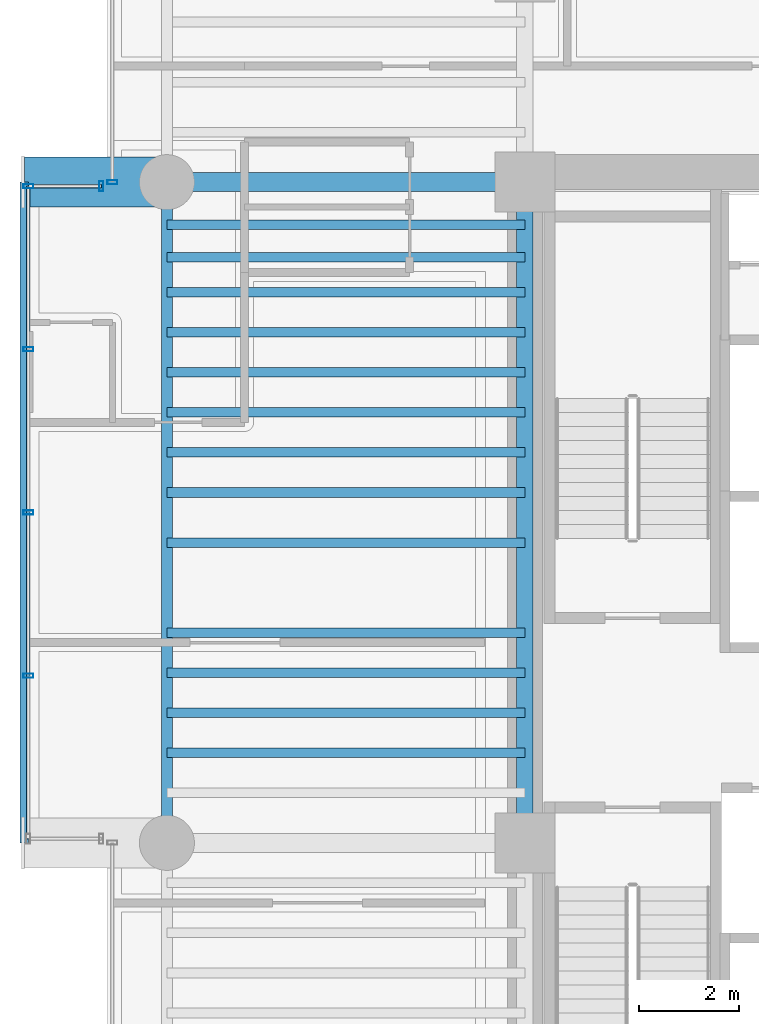
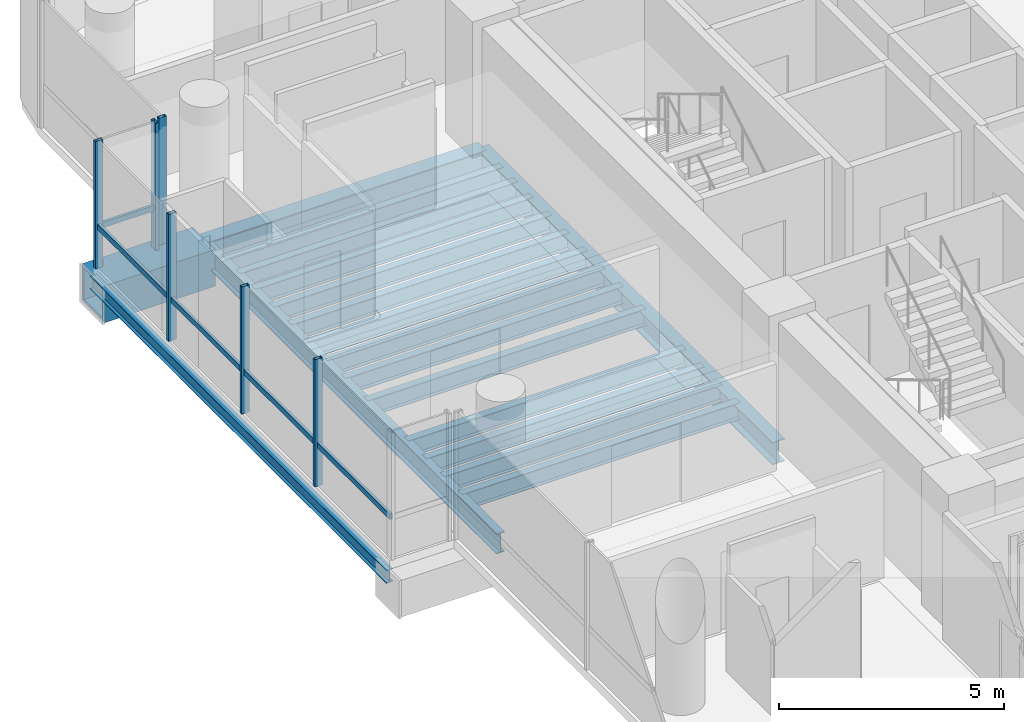
# One storey, part 7 of 35: 18 beams, 8 members, 3 elements without a shape of their own.
"""IFC4 building model written with IfcOpenShell, lengths in metres."""

from ifc_helpers import new_model, si_unit, direction, frame, origin, origin_2d, place, context, subcontext, project, spatial, hollow_rectangle, i_section, extrude, source, transform, mapped, material, material_profile, profile_set, type_object, element, aggregate, save


model = new_model("IFC4")

# Units and contexts
model_context = context("Model", 3, precision=1e-05, world=origin(), true_north=direction((0.0, 1.0)))
body_context = subcontext(model_context, "Body", "Model", "MODEL_VIEW")
ifc_project = project(units=[si_unit("LENGTHUNIT", "METRE"), si_unit("AREAUNIT", "SQUARE_METRE"), si_unit("VOLUMEUNIT", "CUBIC_METRE"), si_unit("PLANEANGLEUNIT", "RADIAN"), si_unit("MASSUNIT", "GRAM", prefix="KILO")], contexts=[model_context])

# Site, building, storey
site_placement = place(None, origin())
site = spatial("IfcSite", under=ifc_project, at=site_placement, CompositionType="ELEMENT")
building_placement = place(site_placement, origin())
building = spatial("IfcBuilding", under=site, at=building_placement, Name="Valdorenza Pilgrim Sanctuary Tower", CompositionType="ELEMENT")
storey_placement = place(building_placement, frame((0.0, 0.0, 113.10009765625)))
storey = spatial("IfcBuildingStorey", under=building, at=storey_placement, Name="L28", CompositionType="ELEMENT", Elevation=113.10009765625)

# Beams
ifc_material_1 = material(Name="Steel ASTM A992 Grade 50", Category="steel")
ifc_material_profile_1 = material_profile(ifc_material_1, i_section(OverallWidth=0.214111328125, OverallDepth=0.549072265625, WebThickness=0.0146484375, FlangeThickness=0.023681640625, at=origin_2d()), Name="W21X93")
ifc_profile_set_1 = profile_set([ifc_material_profile_1], Name="Steel ASTM A992 Grade 50")
beam_type_1 = type_object("IfcBeamType", Name="STR-BM-SPN-W21A", PredefinedType="SPANDREL", material=ifc_profile_set_1)
shared_shape_1 = source(origin(), body_context, "Body", "SweptSolid", [
    extrude(i_section(OverallWidth=0.214111328125, OverallDepth=0.549072265625, WebThickness=0.0146484375, FlangeThickness=0.023681640625, at=origin_2d()), origin(), (0.0, 0.0, 1.0), 13.2001953125),
])
beam_1_placement = place(storey_placement, frame((-29.800048828125, -2.60009765625, -0.5146484375), z_axis=(0.0, 1.0, 0.0), x_axis=(-1.0, 0.0, 0.0)))
element("IfcBeam", 1, at=beam_1_placement, inside=storey, type_object=beam_type_1, Name="L28 Spandrel Beam WA-W-M0N1", PredefinedType="SPANDREL", context=body_context, shape_type="MappedRepresentation", body=[
    mapped(shared_shape_1, transform((0.0, 0.0, 0.0), x_axis=(1.0, 0.0, 0.0), y_axis=(0.0, 1.0, 0.0), z_axis=(0.0, 0.0, 1.0), scale=1.0)),
])
ifc_material_profile_2 = material_profile(ifc_material_1, i_section(OverallWidth=0.323974609375, OverallDepth=0.611083984375, WebThickness=0.0126953125, FlangeThickness=0.01904296875, at=origin_2d()), Name="W24X104")
ifc_profile_set_2 = profile_set([ifc_material_profile_2], Name="Steel ASTM A992 Grade 50")
beam_type_2 = type_object("IfcBeamType", Name="STR-BM-GRD-W24B", PredefinedType="BEAM", material=ifc_profile_set_2)
shared_shape_2 = source(origin(), body_context, "Body", "SweptSolid", [
    extrude(i_section(OverallWidth=0.323974609375, OverallDepth=0.611083984375, WebThickness=0.0126953125, FlangeThickness=0.01904296875, at=origin_2d()), origin(), (0.0, 0.0, 1.0), 13.2001953125),
])
beam_2_placement = place(storey_placement, frame((-22.64990234375, -2.60009765625, -0.545654296875), z_axis=(0.0, 1.0, 0.0), x_axis=(-1.0, 0.0, 0.0)))
element("IfcBeam", 2, at=beam_2_placement, inside=storey, type_object=beam_type_2, Name="L28 Core Tie Girder CA-W-M0N1", PredefinedType="BEAM", context=body_context, shape_type="MappedRepresentation", body=[
    mapped(shared_shape_2, transform((0.0, 0.0, 0.0), x_axis=(1.0, 0.0, 0.0), y_axis=(0.0, 1.0, 0.0), z_axis=(0.0, 0.0, 1.0), scale=1.0)),
])
ifc_material_profile_3 = material_profile(ifc_material_1, i_section(OverallWidth=0.1708984375, OverallDepth=0.35107421875, WebThickness=0.0068359375, FlangeThickness=0.009765625, at=origin_2d()), Name="W14X30")
ifc_profile_set_3 = profile_set([ifc_material_profile_3], Name="Steel ASTM A992 Grade 50")
beam_type_3 = type_object("IfcBeamType", Name="STR-BM-BOX-W14", PredefinedType="BEAM", material=ifc_profile_set_3)
shared_shape_3 = source(origin(), body_context, "Body", "SweptSolid", [
    extrude(i_section(OverallWidth=0.1708984375, OverallDepth=0.35107421875, WebThickness=0.0068359375, FlangeThickness=0.009765625, at=origin_2d()), origin(), (0.0, 0.0, 1.0), 13.2001953125),
])
beam_3_placement = place(storey_placement, frame((-32.64990234375, -2.60009765625, -0.41552734375), z_axis=(0.0, 1.0, 0.0), x_axis=(-1.0, 0.0, 0.0)))
element("IfcBeam", 3, at=beam_3_placement, inside=storey, type_object=beam_type_3, Name="L28 Glass Box Edge Beam BOX-WA-L28-F", PredefinedType="BEAM", context=body_context, shape_type="MappedRepresentation", body=[
    mapped(shared_shape_3, transform((0.0, 0.0, 0.0), x_axis=(1.0, 0.0, 0.0), y_axis=(0.0, 1.0, 0.0), z_axis=(0.0, 0.0, 1.0), scale=1.0)),
])
ifc_material_profile_4 = material_profile(ifc_material_1, i_section(OverallWidth=0.382080078125, OverallDepth=0.779052734375, WebThickness=0.01806640625, FlangeThickness=0.030029296875, at=origin_2d()), Name="W30X191")
ifc_profile_set_4 = profile_set([ifc_material_profile_4], Name="Steel ASTM A992 Grade 50")
beam_type_4 = type_object("IfcBeamType", Name="STR-BM-GRD-W30", PredefinedType="BEAM", material=ifc_profile_set_4)
shared_shape_4 = source(origin(), body_context, "Body", "SweptSolid", [
    extrude(i_section(OverallWidth=0.382080078125, OverallDepth=0.779052734375, WebThickness=0.01806640625, FlangeThickness=0.030029296875, at=origin_2d()), origin(), (0.0, 0.0, 1.0), 7.150146484375),
])
beam_4_placement = place(storey_placement, frame((-29.800048828125, 10.60009765625, -0.629638671875), z_axis=(1.0, 0.0, 0.0), x_axis=(0.0, 1.0, 0.0)))
element("IfcBeam", 4, at=beam_4_placement, inside=storey, type_object=beam_type_4, Name="L28 Floor Girder WA-XW-N1", PredefinedType="BEAM", context=body_context, shape_type="MappedRepresentation", body=[
    mapped(shared_shape_4, transform((0.0, 0.0, 0.0), x_axis=(1.0, 0.0, 0.0), y_axis=(0.0, 1.0, 0.0), z_axis=(0.0, 0.0, 1.0), scale=1.0)),
])
ifc_material_profile_5 = material_profile(ifc_material_1, i_section(OverallWidth=0.19091796875, OverallDepth=0.45703125, WebThickness=0.009033203125, FlangeThickness=0.014404296875, at=origin_2d()), Name="W18X50")
ifc_profile_set_5 = profile_set([ifc_material_profile_5], Name="Steel ASTM A992 Grade 50")
beam_type_5 = type_object("IfcBeamType", Name="STR-BM-JST-W18B", PredefinedType="JOIST", material=ifc_profile_set_5)
shared_shape_5 = source(origin(), body_context, "Body", "SweptSolid", [
    extrude(i_section(OverallWidth=0.19091796875, OverallDepth=0.45703125, WebThickness=0.009033203125, FlangeThickness=0.014404296875, at=origin_2d()), origin(), (0.0, 0.0, 1.0), 7.150146484375),
])
for number, where, z_axis, x_axis, name in (
    (5, (-29.800048828125, -0.800048828125, -0.468505859375), (1.0, 0.0, 0.0), (0.0, 1.0, 0.0), "L28 Composite Floor Joist JST-WA-11"),
    (6, (-29.800048828125, 0.0, -0.468505859375), (1.0, 0.0, 0.0), (0.0, 1.0, 0.0), "L28 Composite Floor Joist JST-WA-12"),
    (7, (-29.800048828125, 0.800048828125, -0.468505859375), (1.0, 0.0, 0.0), (0.0, 1.0, 0.0), "L28 Composite Floor Joist JST-WA-13"),
    (8, (-29.800048828125, 1.60009765625, -0.468505859375), (1.0, 0.0, 0.0), (0.0, 1.0, 0.0), "L28 Composite Floor Joist JST-WA-14"),
    (9, (-29.800048828125, 3.39990234375, -0.468505859375), (1.0, 0.0, 0.0), (0.0, 1.0, 0.0), "L28 Composite Floor Joist JST-WA-15"),
    (10, (-29.800048828125, 4.39990234375, -0.468505859375), (1.0, 0.0, 0.0), (0.0, 1.0, 0.0), "L28 Composite Floor Joist JST-WA-16"),
    (11, (-29.800048828125, 5.199951171875, -0.468505859375), (1.0, 0.0, 0.0), (0.0, 1.0, 0.0), "L28 Composite Floor Joist JST-WA-17"),
    (12, (-29.800048828125, 6.0, -0.468505859375), (1.0, 0.0, 0.0), (0.0, 1.0, 0.0), "L28 Composite Floor Joist JST-WA-18"),
    (13, (-29.800048828125, 6.800048828125, -0.468505859375), (1.0, 0.0, 0.0), (0.0, 1.0, 0.0), "L28 Composite Floor Joist JST-WA-19"),
    (14, (-29.800048828125, 7.60009765625, -0.468505859375), (1.0, 0.0, 0.0), (0.0, 1.0, 0.0), "L28 Composite Floor Joist JST-WA-20"),
    (15, (-29.800048828125, 8.39990234375, -0.468505859375), (1.0, 0.0, 0.0), (0.0, 1.0, 0.0), "L28 Composite Floor Joist JST-WA-21"),
    (16, (-29.800048828125, 9.10009765625, -0.468505859375), (1.0, 0.0, 0.0), (0.0, 1.0, 0.0), "L28 Composite Floor Joist JST-WA-22"),
    (17, (-29.800048828125, 9.75, -0.468505859375), (1.0, 0.0, 0.0), (0.0, 1.0, 0.0), "L28 Composite Floor Joist JST-WA-23"),
):
    element("IfcBeam", number, at=place(storey_placement, frame(where, z_axis=z_axis, x_axis=x_axis)), inside=storey, type_object=beam_type_5, Name=name, PredefinedType="JOIST", context=body_context, shape_type="MappedRepresentation", body=[
        mapped(shared_shape_5, transform((0.0, 0.0, 0.0), x_axis=(1.0, 0.0, 0.0), y_axis=(0.0, 1.0, 0.0), z_axis=(0.0, 0.0, 1.0), scale=1.0)),
    ])
ifc_material_2 = material(Name="Steel ASTM A572 Grade 42", Category="steel")
ifc_material_profile_6 = material_profile(ifc_material_2, hollow_rectangle(XDim=1.0, YDim=1.0, WallThickness=0.080078125, at=origin_2d()), Name="BOX 1000x1000x80")
ifc_profile_set_6 = profile_set([ifc_material_profile_6], Name="Steel ASTM A572 Grade 42")
beam_type_6 = type_object("IfcBeamType", Name="STR-BM-PROW-CANT", PredefinedType="BEAM", material=ifc_profile_set_6)
shared_shape_6 = source(origin(), body_context, "Body", "SweptSolid", [
    extrude(hollow_rectangle(XDim=1.0, YDim=1.0, WallThickness=0.080078125, at=origin_2d()), origin(), (0.0, 0.0, 1.0), 2.849853515625),
])
beam_5_placement = place(storey_placement, frame((-29.800048828125, 10.60009765625, -0.739990234375), z_axis=(-1.0, 0.0, 0.0), x_axis=(0.0, -1.0, 0.0)))
element("IfcBeam", 18, at=beam_5_placement, inside=storey, type_object=beam_type_6, Name="L28 Glass Box Cantilever Beam BOX-WA-L28-CT-N", PredefinedType="BEAM", context=body_context, shape_type="MappedRepresentation", body=[
    mapped(shared_shape_6, transform((0.0, 0.0, 0.0), x_axis=(1.0, 0.0, 0.0), y_axis=(0.0, 1.0, 0.0), z_axis=(0.0, 0.0, 1.0), scale=1.0)),
])

# Curtain wall, member
ifc_material_3 = material(Name="Curtain-wall IGU glazing", Category="glass")
curtain_wall_type = type_object("IfcCurtainWallType", Name="CW-SYS-02", PredefinedType="NOTDEFINED", material=ifc_material_3)
curtain_wall_1_placement = place(storey_placement, origin())
curtain_wall_1 = element("IfcCurtainWall", 19, at=curtain_wall_1_placement, inside=storey, type_object=curtain_wall_type, Name="L28 Curtain Wall CW-L28-1-1S2", PredefinedType="NOTDEFINED")
ifc_material_4 = material(Name="Anodised aluminium AW-6060", Category="aluminium")
ifc_material_profile_7 = material_profile(ifc_material_4, hollow_rectangle(XDim=0.0849609375, YDim=0.199951171875, WallThickness=0.0048828125, at=origin_2d()), Name="ALU-M 200x85x5")
ifc_profile_set_7 = profile_set([ifc_material_profile_7], Name="Anodised aluminium AW-6060")
member_type_1 = type_object("IfcMemberType", Name="CW-MUL-02", PredefinedType="MULLION", material=ifc_profile_set_7)
shared_shape_7 = source(origin(), body_context, "Body", "SweptSolid", [
    extrude(hollow_rectangle(XDim=0.0849609375, YDim=0.199951171875, WallThickness=0.0048828125, at=origin_2d()), origin(), (0.0, 0.0, 1.0), 3.4599609375),
])
member_1_placement = place(storey_placement, frame((-30.889892578125, 10.60009765625, 0.0), z_axis=(0.0, 0.0, 1.0), x_axis=(0.0, 1.0, 0.0)))
member_1 = element("IfcMember", 20, at=member_1_placement, type_object=member_type_1, Name="CW-L28-1-1S2 Mullion 1", PredefinedType="MULLION", context=body_context, shape_type="MappedRepresentation", body=[
    mapped(shared_shape_7, transform((0.0, 0.0, 0.0), x_axis=(1.0, 0.0, 0.0), y_axis=(0.0, 1.0, 0.0), z_axis=(0.0, 0.0, 1.0), scale=1.0)),
])
aggregate(curtain_wall_1, [member_1])

# Curtain wall, members
curtain_wall_2_placement = place(storey_placement, origin())
curtain_wall_2 = element("IfcCurtainWall", 21, at=curtain_wall_2_placement, inside=storey, type_object=curtain_wall_type, Name="L28 Curtain Wall CW-L28-BOX-WA-L28-F", PredefinedType="NOTDEFINED")
member_2_placement = place(storey_placement, frame((-32.570068359375, 0.739990234375, 0.0), z_axis=(0.0, 0.0, 1.0), x_axis=(0.0, 1.0, 0.0)))
member_2 = element("IfcMember", 22, at=member_2_placement, type_object=member_type_1, Name="CW-L28-BOX-WA-L28-F Mullion 2", PredefinedType="MULLION", context=body_context, shape_type="MappedRepresentation", body=[
    mapped(shared_shape_7, transform((0.0, 0.0, 0.0), x_axis=(1.0, 0.0, 0.0), y_axis=(0.0, 1.0, 0.0), z_axis=(0.0, 0.0, 1.0), scale=1.0)),
])
member_3_placement = place(storey_placement, frame((-32.570068359375, 4.0, 0.0), z_axis=(0.0, 0.0, 1.0), x_axis=(0.0, 1.0, 0.0)))
member_3 = element("IfcMember", 23, at=member_3_placement, type_object=member_type_1, Name="CW-L28-BOX-WA-L28-F Mullion 3", PredefinedType="MULLION", context=body_context, shape_type="MappedRepresentation", body=[
    mapped(shared_shape_7, transform((0.0, 0.0, 0.0), x_axis=(1.0, 0.0, 0.0), y_axis=(0.0, 1.0, 0.0), z_axis=(0.0, 0.0, 1.0), scale=1.0)),
])
member_4_placement = place(storey_placement, frame((-32.570068359375, 7.260009765625, 0.0), z_axis=(0.0, 0.0, 1.0), x_axis=(0.0, 1.0, 0.0)))
member_4 = element("IfcMember", 24, at=member_4_placement, type_object=member_type_1, Name="CW-L28-BOX-WA-L28-F Mullion 4", PredefinedType="MULLION", context=body_context, shape_type="MappedRepresentation", body=[
    mapped(shared_shape_7, transform((0.0, 0.0, 0.0), x_axis=(1.0, 0.0, 0.0), y_axis=(0.0, 1.0, 0.0), z_axis=(0.0, 0.0, 1.0), scale=1.0)),
])
member_5_placement = place(storey_placement, frame((-32.570068359375, 10.52001953125, 0.0), z_axis=(0.0, 0.0, 1.0), x_axis=(0.0, 1.0, 0.0)))
member_5 = element("IfcMember", 25, at=member_5_placement, type_object=member_type_1, Name="CW-L28-BOX-WA-L28-F Mullion 5", PredefinedType="MULLION", context=body_context, shape_type="MappedRepresentation", body=[
    mapped(shared_shape_7, transform((0.0, 0.0, 0.0), x_axis=(1.0, 0.0, 0.0), y_axis=(0.0, 1.0, 0.0), z_axis=(0.0, 0.0, 1.0), scale=1.0)),
])

curtain_wall_3_placement = place(storey_placement, origin())
curtain_wall_3 = element("IfcCurtainWall", 26, at=curtain_wall_3_placement, inside=storey, type_object=curtain_wall_type, Name="L28 Curtain Wall CW-L28-BOX-WA-L28-N", PredefinedType="NOTDEFINED")
member_6_placement = place(storey_placement, frame((-31.110107421875, 10.52001953125, 0.0), z_axis=(0.0, 0.0, 1.0), x_axis=(1.0, 0.0, 0.0)))
member_6 = element("IfcMember", 27, at=member_6_placement, type_object=member_type_1, Name="CW-L28-BOX-WA-L28-N Mullion 2", PredefinedType="MULLION", context=body_context, shape_type="MappedRepresentation", body=[
    mapped(shared_shape_7, transform((0.0, 0.0, 0.0), x_axis=(1.0, 0.0, 0.0), y_axis=(0.0, 1.0, 0.0), z_axis=(0.0, 0.0, 1.0), scale=1.0)),
])
ifc_material_profile_8 = material_profile(ifc_material_4, hollow_rectangle(XDim=0.074951171875, YDim=0.14990234375, WallThickness=0.00390625, at=origin_2d()), Name="ALU-T 150x75x4")
ifc_profile_set_8 = profile_set([ifc_material_profile_8], Name="Anodised aluminium AW-6060")
member_type_2 = type_object("IfcMemberType", Name="CW-TRN-02", PredefinedType="USERDEFINED", material=ifc_profile_set_8)
shared_shape_8 = source(origin(), body_context, "Body", "SweptSolid", [
    extrude(hollow_rectangle(XDim=0.074951171875, YDim=0.14990234375, WallThickness=0.00390625, at=origin_2d()), origin(), (0.0, 0.0, 1.0), 1.4599609375),
])
member_7_placement = place(storey_placement, frame((-32.570068359375, 10.52001953125, 1.119873046875), z_axis=(1.0, 0.0, 0.0), x_axis=(0.0, 1.0, 0.0)))
member_7 = element("IfcMember", 28, at=member_7_placement, type_object=member_type_2, Name="CW-L28-BOX-WA-L28-N Transom 1", ObjectType="TRANSOM", PredefinedType="USERDEFINED", context=body_context, shape_type="MappedRepresentation", body=[
    mapped(shared_shape_8, transform((0.0, 0.0, 0.0), x_axis=(1.0, 0.0, 0.0), y_axis=(0.0, 1.0, 0.0), z_axis=(0.0, 0.0, 1.0), scale=1.0)),
])
aggregate(curtain_wall_3, [member_6, member_7])

# Member
shared_shape_9 = source(origin(), body_context, "Body", "SweptSolid", [
    extrude(hollow_rectangle(XDim=0.074951171875, YDim=0.14990234375, WallThickness=0.00390625, at=origin_2d()), origin(), (0.0, 0.0, 1.0), 13.0400390625),
])
member_8_placement = place(storey_placement, frame((-32.570068359375, -2.52001953125, 1.119873046875), z_axis=(0.0, 1.0, 0.0), x_axis=(-1.0, 0.0, 0.0)))
member_8 = element("IfcMember", 29, at=member_8_placement, type_object=member_type_2, Name="CW-L28-BOX-WA-L28-F Transom 1", ObjectType="TRANSOM", PredefinedType="USERDEFINED", context=body_context, shape_type="MappedRepresentation", body=[
    mapped(shared_shape_9, transform((0.0, 0.0, 0.0), x_axis=(1.0, 0.0, 0.0), y_axis=(0.0, 1.0, 0.0), z_axis=(0.0, 0.0, 1.0), scale=1.0)),
])

aggregate(curtain_wall_2, [member_2, member_3, member_4, member_5, member_8])

save(model, "model.ifc")
